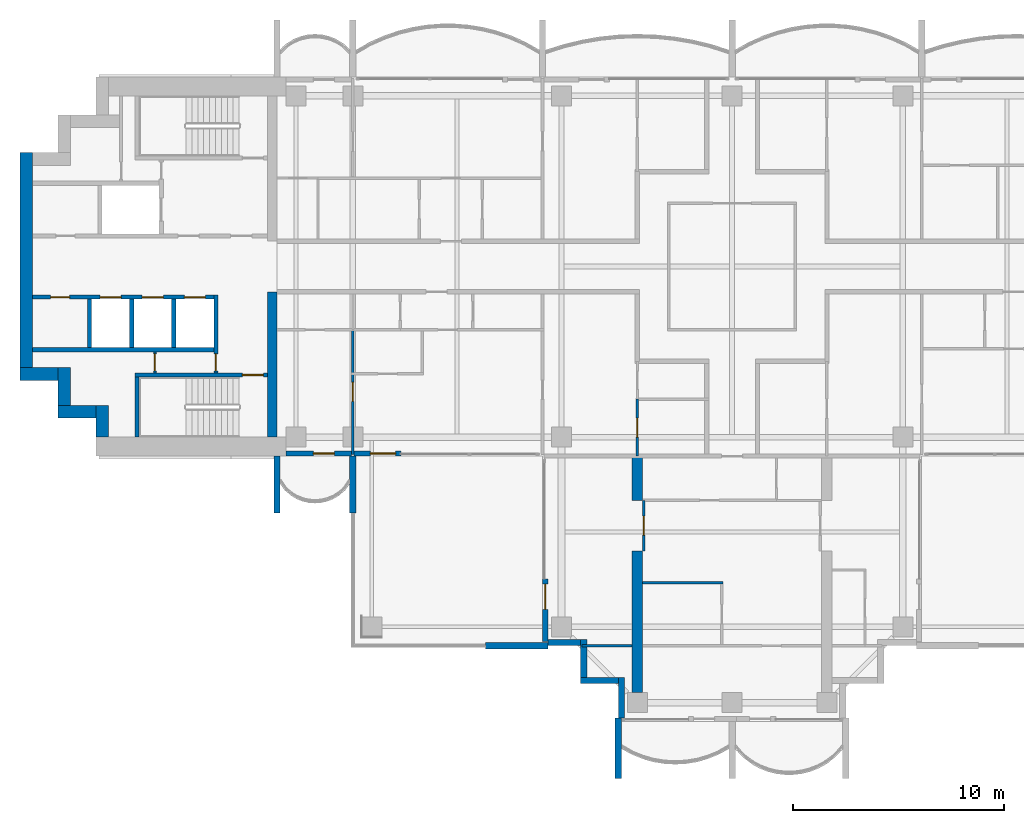
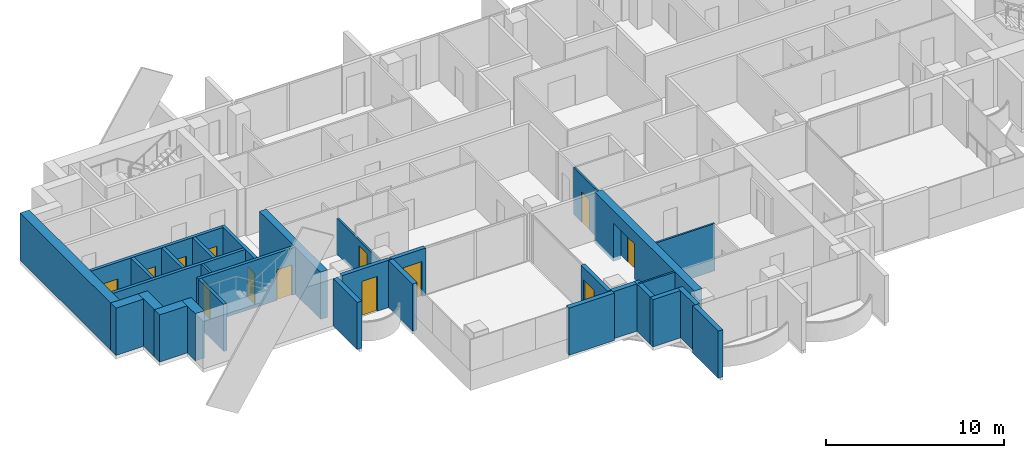
# One storey, part 8 of 17: 32 walls, 13 doors, 13 openings.
"""IFC4 building model written with IfcOpenShell, lengths in metres."""

from ifc_helpers import new_model, si_unit, direction, frame, frame_2d, origin, place, context, subcontext, project, spatial, polyline, rectangle, outline, extrude, material, layer, layer_set, material_profile, profile_set, type_object, element, fill, save


model = new_model("IFC4")

# Units and contexts
model_context = context("Model", 3, precision=1e-05, world=origin(), true_north=direction((0.0, 1.0)))
body_context = subcontext(model_context, "Body", "Model", "MODEL_VIEW")
ifc_project = project(units=[si_unit("LENGTHUNIT", "METRE"), si_unit("AREAUNIT", "SQUARE_METRE"), si_unit("VOLUMEUNIT", "CUBIC_METRE"), si_unit("PLANEANGLEUNIT", "RADIAN"), si_unit("MASSUNIT", "GRAM", prefix="KILO")], contexts=[model_context])

# Site, building, storey
site_placement = place(None, origin())
site = spatial("IfcSite", under=ifc_project, at=site_placement, CompositionType="ELEMENT")
building_placement = place(site_placement, origin())
building = spatial("IfcBuilding", under=site, at=building_placement, Name="Perihelion Cross Residences", CompositionType="ELEMENT")
storey_placement = place(building_placement, frame((0.0, 0.0, 198.10009765625)))
storey = spatial("IfcBuildingStorey", under=building, at=storey_placement, Name="L49", CompositionType="ELEMENT", Elevation=198.10009765625)

# Wall, opening, door
ifc_material_1 = material(Name="Concrete C30/37, bronze-clad", Category="concrete")
ifc_layer_1 = layer(ifc_material_1, 0.25)
ifc_layer_set_1 = layer_set([ifc_layer_1], Name="Bronze-clad pier wall 250")
wall_type_1 = type_object("IfcWallType", Name="Bronze-clad pier wall 250", PredefinedType="SOLIDWALL", material=ifc_layer_set_1)
wall_1_placement = place(storey_placement, frame((-21.175048828125, -8.875, 0.0), z_axis=(0.0, 0.0, 1.0), x_axis=(1.0, 0.0, 0.0)))
wall_1 = element("IfcWall", 1, at=wall_1_placement, inside=storey, type_object=wall_type_1, Name="Wall FW1 L49 west side south bay 1 pier", PredefinedType="SOLIDWALL", context=body_context, shape_type="SweptSolid", body=[
    extrude(rectangle(XDim=3.114990234375, YDim=0.25, at=frame_2d((1.5576171875, 0.0))), origin(), (0.0, 0.0, 1.0), 3.25),
])
opening_1_placement = place(wall_1_placement, frame((1.300048828125, 0.0, 0.0)))
opening_1 = element("IfcOpeningElement", 2, at=opening_1_placement, cuts=wall_1, Name="Opening L49.E07", PredefinedType="OPENING", context=body_context, shape_type="SweptSolid", body=[
    extrude(rectangle(XDim=1.0, YDim=2.39990234375, at=frame_2d((0.5, 1.199951171875))), frame((0.0, 0.135009765625, 0.0), z_axis=(0.0, -1.0, 0.0), x_axis=(1.0, 0.0, 0.0)), (0.0, 0.0, 1.0), 0.27001953125),
])
ifc_material_2 = material(Name="Bronze anodised aluminium, glazed", Category="aluminium")
door_type_1 = type_object("IfcDoorType", Name="Balcony door 1000 x 2400", OperationType="NOTDEFINED", PredefinedType="DOOR", material=ifc_material_2)
door_1_placement = place(opening_1_placement, origin())
door_1 = element("IfcDoor", 3, at=door_1_placement, inside=storey, type_object=door_type_1, Name="Door L49.E07 west side south bay 1", OperationType="SINGLE_SWING_LEFT", OverallHeight=2.39990234375, OverallWidth=1.0, PredefinedType="DOOR", context=body_context, shape_type="SweptSolid", body=[
    extrude(rectangle(XDim=1.0, YDim=2.39990234375, at=frame_2d((0.5, 1.199951171875))), frame((0.0, 0.02490234375, 0.0), z_axis=(0.0, -1.0, 0.0), x_axis=(1.0, 0.0, 0.0)), (0.0, 0.0, 1.0), 0.050048828125),
])
fill(opening_1, door_1)

wall_2_placement = place(storey_placement, frame((-17.93994140625, -8.875, 0.0), z_axis=(0.0, 0.0, 1.0), x_axis=(1.0, 0.0, 0.0)))
wall_2 = element("IfcWall", 4, at=wall_2_placement, inside=storey, type_object=wall_type_1, Name="Wall FW1 L49 west side south bay 2 pier", PredefinedType="SOLIDWALL", context=body_context, shape_type="SweptSolid", body=[
    extrude(rectangle(XDim=2.21484375, YDim=0.25, at=frame_2d((1.107421875, 0.0))), origin(), (0.0, 0.0, 1.0), 3.25),
])
opening_2_placement = place(wall_2_placement, frame((0.764892578125, 0.0, 0.0)))
opening_2 = element("IfcOpeningElement", 5, at=opening_2_placement, cuts=wall_2, Name="Opening L49.E08", PredefinedType="OPENING", context=body_context, shape_type="SweptSolid", body=[
    extrude(rectangle(XDim=1.199951171875, YDim=2.39990234375, at=frame_2d((0.60009765625, 1.199951171875))), frame((0.0, 0.135009765625, 0.0), z_axis=(0.0, -1.0, 0.0), x_axis=(1.0, 0.0, 0.0)), (0.0, 0.0, 1.0), 0.27001953125),
])
ifc_material_3 = material(Name="Bronze anodised aluminium, glazed", Category="aluminium")
door_type_2 = type_object("IfcDoorType", Name="Balcony door 1200 x 2400", OperationType="NOTDEFINED", PredefinedType="DOOR", material=ifc_material_3)
door_2_placement = place(opening_2_placement, origin())
door_2 = element("IfcDoor", 6, at=door_2_placement, inside=storey, type_object=door_type_2, Name="Door L49.E08 west side south bay 2", OperationType="SINGLE_SWING_RIGHT", OverallHeight=2.39990234375, OverallWidth=1.199951171875, PredefinedType="DOOR", context=body_context, shape_type="SweptSolid", body=[
    extrude(rectangle(XDim=1.199951171875, YDim=2.39990234375, at=frame_2d((0.60009765625, 1.199951171875))), frame((0.0, 0.02490234375, 0.0), z_axis=(0.0, -1.0, 0.0), x_axis=(1.0, 0.0, 0.0)), (0.0, 0.0, 1.0), 0.050048828125),
])
fill(opening_2, door_2)

wall_3_placement = place(storey_placement, frame((-8.875, -14.824951171875, 0.0), z_axis=(0.0, 0.0, 1.0), x_axis=(0.0, -1.0, 0.0)))
wall_3 = element("IfcWall", 7, at=wall_3_placement, inside=storey, type_object=wall_type_1, Name="Wall FW1 L49 south side west bay 1 pier", PredefinedType="SOLIDWALL", context=body_context, shape_type="SweptSolid", body=[
    extrude(rectangle(XDim=2.97509765625, YDim=0.25, at=frame_2d((1.487548828125, 0.0))), origin(), (0.0, 0.0, 1.0), 3.25),
])
opening_3_placement = place(wall_3_placement, frame((0.25, 0.0, 0.0)))
opening_3 = element("IfcOpeningElement", 8, at=opening_3_placement, cuts=wall_3, Name="Opening L49.E09", PredefinedType="OPENING", context=body_context, shape_type="SweptSolid", body=[
    extrude(rectangle(XDim=1.199951171875, YDim=2.39990234375, at=frame_2d((0.60009765625, 1.199951171875))), frame((0.0, 0.135009765625, 0.0), z_axis=(0.0, -1.0, 0.0), x_axis=(1.0, 0.0, 0.0)), (0.0, 0.0, 1.0), 0.27001953125),
])
door_3_placement = place(opening_3_placement, origin())
door_3 = element("IfcDoor", 9, at=door_3_placement, inside=storey, type_object=door_type_2, Name="Door L49.E09 south side west bay 1", OperationType="SINGLE_SWING_LEFT", OverallHeight=2.39990234375, OverallWidth=1.199951171875, PredefinedType="DOOR", context=body_context, shape_type="SweptSolid", body=[
    extrude(rectangle(XDim=1.199951171875, YDim=2.39990234375, at=frame_2d((0.60009765625, 1.199951171875))), frame((0.0, 0.02490234375, 0.0), z_axis=(0.0, -1.0, 0.0), x_axis=(1.0, 0.0, 0.0)), (0.0, 0.0, 1.0), 0.050048828125),
])
fill(opening_3, door_3)

# Walls
ifc_material_4 = material(Name="Concrete C30/37, bronze-clad", Category="concrete")
ifc_layer_2 = layer(ifc_material_4, 0.300048828125)
ifc_layer_set_2 = layer_set([ifc_layer_2], Name="Bronze-clad serration wall 300")
wall_type_2 = type_object("IfcWallType", Name="Bronze-clad serration wall 300", PredefinedType="SOLIDWALL", material=ifc_layer_set_2)
wall_4_placement = place(storey_placement, frame((-8.75, -17.85009765625, 0.0), z_axis=(0.0, 0.0, 1.0), x_axis=(1.0, 0.0, 0.0)))
element("IfcWall", 10, at=wall_4_placement, inside=storey, type_object=wall_type_2, Name="Wall SR1 L49 south corner south-west 1", PredefinedType="SOLIDWALL", context=body_context, shape_type="SweptSolid", body=[
    extrude(rectangle(XDim=1.550048828125, YDim=0.300048828125, at=frame_2d((0.77490234375, 0.0))), origin(), (0.0, 0.0, 1.0), 3.25),
])
for number, where, z_axis, x_axis, name in (
    (11, (-7.050048828125, -17.699951171875, 0.0), (0.0, 0.0, 1.0), (0.0, -1.0, 0.0), "Wall SR1 L49 south corner south-west 2"),
    (12, (-7.199951171875, -19.64990234375, 0.0), (0.0, 0.0, 1.0), (1.0, 0.0, 0.0), "Wall SR1 L49 south corner south-west 3"),
):
    element("IfcWall", number, at=place(storey_placement, frame(where, z_axis=z_axis, x_axis=x_axis)), inside=storey, type_object=wall_type_2, Name=name, PredefinedType="SOLIDWALL", context=body_context, shape_type="SweptSolid", body=[
        extrude(rectangle(XDim=1.800048828125, YDim=0.300048828125, at=frame_2d((0.89990234375, 0.0))), origin(), (0.0, 0.0, 1.0), 3.25),
    ])
wall_5_placement = place(storey_placement, frame((-5.25, -19.5, 0.0), z_axis=(0.0, 0.0, 1.0), x_axis=(0.0, -1.0, 0.0)))
element("IfcWall", 13, at=wall_5_placement, inside=storey, type_object=wall_type_2, Name="Wall SR1 L49 south corner south-west 4", PredefinedType="SOLIDWALL", context=body_context, shape_type="SweptSolid", body=[
    extrude(rectangle(XDim=1.919921875, YDim=0.300048828125, at=frame_2d((0.9599609375, 0.0))), origin(), (0.0, 0.0, 1.0), 3.25),
])
ifc_material_5 = material(Name="Concrete C60/75", Category="concrete")
ifc_layer_3 = layer(ifc_material_5, 0.449951171875)
ifc_layer_set_3 = layer_set([ifc_layer_3], Name="Core wall, inner 450")
wall_type_3 = type_object("IfcWallType", Name="Core wall, inner 450", PredefinedType="SHEAR", material=ifc_layer_set_3)
wall_6_placement = place(storey_placement, frame((-21.824951171875, -8.10009765625, 0.0), z_axis=(0.0, 0.0, 1.0), x_axis=(0.0, 1.0, 0.0)))
element("IfcWall", 14, at=wall_6_placement, inside=storey, type_object=wall_type_3, Name="West core core wall, inner", PredefinedType="SHEAR", context=body_context, shape_type="SweptSolid", body=[
    extrude(rectangle(XDim=6.900146484375, YDim=0.449951171875, at=frame_2d((3.4501953125, 0.0))), origin(), (0.0, 0.0, 1.0), 3.25),
])
ifc_material_6 = material(Name="Concrete C60/75", Category="concrete")
ifc_layer_4 = layer(ifc_material_6, 0.60009765625)
ifc_layer_set_4 = layer_set([ifc_layer_4], Name="Core wall, outer 600")
wall_type_4 = type_object("IfcWallType", Name="Core wall, outer 600", PredefinedType="SHEAR", material=ifc_layer_set_4)
wall_7_placement = place(storey_placement, frame((-29.89990234375, -8.10009765625, 0.0), z_axis=(0.0, 0.0, 1.0), x_axis=(0.0, 1.0, 0.0)))
element("IfcWall", 15, at=wall_7_placement, inside=storey, type_object=wall_type_4, Name="West core core wall, outer", PredefinedType="SHEAR", context=body_context, shape_type="SweptSolid", body=[
    extrude(rectangle(XDim=1.5, YDim=0.60009765625, at=frame_2d((0.75, 0.0))), origin(), (0.0, 0.0, 1.0), 3.25),
])
for number, where, z_axis, x_axis, name in (
    (16, (-32.0, -6.89990234375, 0.0), (0.0, 0.0, 1.0), (1.0, 0.0, 0.0), "West core core wall, outer"),
    (17, (-31.699951171875, -6.60009765625, 0.0), (0.0, 0.0, 1.0), (0.0, 1.0, 0.0), "West core core wall, outer"),
    (18, (-33.800048828125, -5.10009765625, 0.0), (0.0, 0.0, 1.0), (1.0, 0.0, 0.0), "West core core wall, outer"),
):
    element("IfcWall", number, at=place(storey_placement, frame(where, z_axis=z_axis, x_axis=x_axis)), inside=storey, type_object=wall_type_4, Name=name, PredefinedType="SHEAR", context=body_context, shape_type="SweptSolid", body=[
        extrude(rectangle(XDim=1.800048828125, YDim=0.60009765625, at=frame_2d((0.89990234375, 0.0))), origin(), (0.0, 0.0, 1.0), 3.25),
    ])
wall_8_placement = place(storey_placement, frame((-33.5, -4.800048828125, 0.0), z_axis=(0.0, 0.0, 1.0), x_axis=(0.0, 1.0, 0.0)))
element("IfcWall", 19, at=wall_8_placement, inside=storey, type_object=wall_type_4, Name="West core core wall, outer", PredefinedType="SHEAR", context=body_context, shape_type="SweptSolid", body=[
    extrude(rectangle(XDim=10.199951171875, YDim=0.60009765625, at=frame_2d((5.10009765625, 0.0))), origin(), (0.0, 0.0, 1.0), 3.25),
])

# Wall, opening, door
ifc_material_7 = material(Name="Plasterboard partition")
ifc_layer_5 = layer(ifc_material_7, 0.1201171875)
ifc_layer_set_5 = layer_set([ifc_layer_5], Name="Infill panel 120")
wall_type_5 = type_object("IfcWallType", Name="Infill panel 120", PredefinedType="PARTITIONING", material=ifc_layer_set_5)
wall_9_placement = place(storey_placement, frame((-4.18994140625, -11.10009765625, 0.0), z_axis=(0.0, 0.0, 1.0), x_axis=(0.0, -1.0, 0.0)))
wall_9 = element("IfcWall", 20, at=wall_9_placement, inside=storey, type_object=wall_type_5, Name="Partition L49 WI02", PredefinedType="PARTITIONING", context=body_context, shape_type="SweptSolid", body=[
    extrude(rectangle(XDim=2.39990234375, YDim=0.1201171875, at=frame_2d((1.199951171875, 0.0))), origin(), (0.0, 0.0, 1.0), 2.39990234375),
])
opening_4_placement = place(wall_9_placement, frame((0.75, 0.0, 0.0)))
opening_4 = element("IfcOpeningElement", 21, at=opening_4_placement, cuts=wall_9, Name="Opening L49.A43", PredefinedType="OPENING", context=body_context, shape_type="SweptSolid", body=[
    extrude(rectangle(XDim=0.89990234375, YDim=2.10009765625, at=frame_2d((0.449951171875, 1.050048828125))), frame((0.0, 0.070068359375, 0.0), z_axis=(0.0, -1.0, 0.0), x_axis=(1.0, 0.0, 0.0)), (0.0, 0.0, 1.0), 0.14013671875),
])
ifc_material_8 = material(Name="Timber door leaf", Category="wood")
door_type_3 = type_object("IfcDoorType", Name="Interior room door 900 x 2100", OperationType="SINGLE_SWING_LEFT", PredefinedType="DOOR", material=ifc_material_8)
door_4_placement = place(opening_4_placement, origin())
door_4 = element("IfcDoor", 22, at=door_4_placement, inside=storey, type_object=door_type_3, Name="Door L49.A43", OperationType="SINGLE_SWING_LEFT", OverallHeight=2.10009765625, OverallWidth=0.89990234375, PredefinedType="DOOR", context=body_context, shape_type="SweptSolid", body=[
    extrude(rectangle(XDim=0.89990234375, YDim=2.10009765625, at=frame_2d((0.449951171875, 1.050048828125))), frame((0.0, 0.02490234375, 0.0), z_axis=(0.0, -1.0, 0.0), x_axis=(1.0, 0.0, 0.0)), (0.0, 0.0, 1.0), 0.050048828125),
])
fill(opening_4, door_4)

ifc_material_9 = material(Name="Concrete C50/60", Category="concrete")
ifc_layer_6 = layer(ifc_material_9, 0.199951171875)
ifc_layer_set_6 = layer_set([ifc_layer_6], Name="Lobby wall 200")
wall_type_6 = type_object("IfcWallType", Name="Lobby wall 200", PredefinedType="SOLIDWALL", material=ifc_layer_set_6)
wall_10_placement = place(storey_placement, frame((-24.5, -5.050048828125, 0.0), z_axis=(0.0, 0.0, 1.0), x_axis=(0.0, 1.0, 0.0)))
wall_10 = element("IfcWall", 23, at=wall_10_placement, inside=storey, type_object=wall_type_6, Name="West core lobby wall", PredefinedType="SOLIDWALL", context=body_context, shape_type="SweptSolid", body=[
    extrude(rectangle(XDim=3.699951171875, YDim=0.199951171875, at=frame_2d((1.85009765625, 0.0))), origin(), (0.0, 0.0, 1.0), 3.25),
])
opening_5_placement = place(wall_10_placement, frame((0.10009765625, 0.0, 0.0)))
opening_5 = element("IfcOpeningElement", 24, at=opening_5_placement, cuts=wall_10, Name="Opening L49.C22", PredefinedType="OPENING", context=body_context, shape_type="SweptSolid", body=[
    extrude(rectangle(XDim=0.800048828125, YDim=2.10009765625, at=frame_2d((0.39990234375, 1.050048828125))), frame((0.0, 0.10986328125, 0.0), z_axis=(0.0, -1.0, 0.0), x_axis=(1.0, 0.0, 0.0)), (0.0, 0.0, 1.0), 0.219970703125),
])
ifc_material_10 = material(Name="Steel, powder coated", Category="steel")
door_type_4 = type_object("IfcDoorType", Name="Riser door 800", OperationType="SINGLE_SWING_LEFT", PredefinedType="DOOR", material=ifc_material_10)
door_5_placement = place(opening_5_placement, origin())
door_5 = element("IfcDoor", 25, at=door_5_placement, inside=storey, type_object=door_type_4, Name="West core riser door", OperationType="SINGLE_SWING_LEFT", OverallHeight=2.10009765625, OverallWidth=0.800048828125, PredefinedType="DOOR", context=body_context, shape_type="SweptSolid", body=[
    extrude(rectangle(XDim=0.800048828125, YDim=2.10009765625, at=frame_2d((0.39990234375, 1.050048828125))), frame((0.0, 0.02490234375, 0.0), z_axis=(0.0, -1.0, 0.0), x_axis=(1.0, 0.0, 0.0)), (0.0, 0.0, 1.0), 0.050048828125),
])
fill(opening_5, door_5)

ifc_material_11 = material(Name="Plasterboard partition")
ifc_layer_7 = layer(ifc_material_11, 0.1201171875)
ifc_layer_set_7 = layer_set([ifc_layer_7], Name="Partition wall 120")
wall_type_7 = type_object("IfcWallType", Name="Partition wall 120", PredefinedType="PARTITIONING", material=ifc_layer_set_7)
wall_11_placement = place(storey_placement, frame((-18.0, -8.919921875, 0.0), z_axis=(0.0, 0.0, 1.0), x_axis=(0.0, 1.0, 0.0)))
wall_11 = element("IfcWall", 26, at=wall_11_placement, inside=storey, type_object=wall_type_7, Name="Partition L49 W055", PredefinedType="PARTITIONING", context=body_context, shape_type="SweptSolid", body=[
    extrude(rectangle(XDim=5.919921875, YDim=0.1201171875, at=frame_2d((2.9599609375, 0.0))), origin(), (0.0, 0.0, 1.0), 2.47998046875),
])
opening_6_placement = place(wall_11_placement, frame((2.52001953125, 0.0, 0.0)))
opening_6 = element("IfcOpeningElement", 27, at=opening_6_placement, cuts=wall_11, Name="Opening L49.A23", PredefinedType="OPENING", context=body_context, shape_type="SweptSolid", body=[
    extrude(rectangle(XDim=0.89990234375, YDim=2.10009765625, at=frame_2d((0.449951171875, 1.050048828125))), frame((0.0, 0.070068359375, 0.0), z_axis=(0.0, -1.0, 0.0), x_axis=(1.0, 0.0, 0.0)), (0.0, 0.0, 1.0), 0.14013671875),
])
door_6_placement = place(opening_6_placement, origin())
door_6 = element("IfcDoor", 28, at=door_6_placement, inside=storey, type_object=door_type_3, Name="Door L49.A23", OperationType="SINGLE_SWING_RIGHT", OverallHeight=2.10009765625, OverallWidth=0.89990234375, PredefinedType="DOOR", context=body_context, shape_type="SweptSolid", body=[
    extrude(rectangle(XDim=0.89990234375, YDim=2.10009765625, at=frame_2d((0.449951171875, 1.050048828125))), frame((0.0, 0.02490234375, 0.0), z_axis=(0.0, -1.0, 0.0), x_axis=(1.0, 0.0, 0.0)), (0.0, 0.0, 1.0), 0.050048828125),
])
fill(opening_6, door_6)

wall_12_placement = place(storey_placement, frame((-4.5, -6.300048828125, 0.0), z_axis=(0.0, 0.0, 1.0), x_axis=(0.0, -1.0, 0.0)))
wall_12 = element("IfcWall", 29, at=wall_12_placement, inside=storey, type_object=wall_type_7, Name="Partition L49 W057", PredefinedType="PARTITIONING", context=body_context, shape_type="SweptSolid", body=[
    extrude(rectangle(XDim=2.699951171875, YDim=0.1201171875, at=frame_2d((1.35009765625, 0.0))), origin(), (0.0, 0.0, 1.0), 3.25),
])
opening_7_placement = place(wall_12_placement, frame((0.89990234375, 0.0, 0.0)))
opening_7 = element("IfcOpeningElement", 30, at=opening_7_placement, cuts=wall_12, Name="Opening L49.A28", PredefinedType="OPENING", context=body_context, shape_type="SweptSolid", body=[
    extrude(rectangle(XDim=0.89990234375, YDim=2.10009765625, at=frame_2d((0.449951171875, 1.050048828125))), frame((0.0, 0.070068359375, 0.0), z_axis=(0.0, -1.0, 0.0), x_axis=(1.0, 0.0, 0.0)), (0.0, 0.0, 1.0), 0.14013671875),
])
door_7_placement = place(opening_7_placement, origin())
door_7 = element("IfcDoor", 31, at=door_7_placement, inside=storey, type_object=door_type_3, Name="Door L49.A28", OperationType="SINGLE_SWING_LEFT", OverallHeight=2.10009765625, OverallWidth=0.89990234375, PredefinedType="DOOR", context=body_context, shape_type="SweptSolid", body=[
    extrude(rectangle(XDim=0.89990234375, YDim=2.10009765625, at=frame_2d((0.449951171875, 1.050048828125))), frame((0.0, 0.02490234375, 0.0), z_axis=(0.0, -1.0, 0.0), x_axis=(1.0, 0.0, 0.0)), (0.0, 0.0, 1.0), 0.050048828125),
])
fill(opening_7, door_7)

# Walls
wall_13_placement = place(storey_placement, frame((-0.43994140625, -15.0, 0.0), z_axis=(0.0, 0.0, 1.0), x_axis=(-1.0, 0.0, 0.0)))
element("IfcWall", 32, at=wall_13_placement, inside=storey, type_object=wall_type_7, Name="Partition L49 W063", PredefinedType="PARTITIONING", context=body_context, shape_type="SweptSolid", body=[
    extrude(rectangle(XDim=3.81005859375, YDim=0.1201171875, at=frame_2d((1.905029296875, 0.0))), origin(), (0.0, 0.0, 1.0), 3.25),
])
wall_14_placement = place(storey_placement, frame((-4.75, -18.0, 0.0), z_axis=(0.0, 0.0, 1.0), x_axis=(-1.0, 0.0, 0.0)))
element("IfcWall", 33, at=wall_14_placement, inside=storey, type_object=wall_type_7, Name="Partition L49 W069", PredefinedType="PARTITIONING", context=body_context, shape_type="SweptSolid", body=[
    extrude(rectangle(XDim=2.3701171875, YDim=0.1201171875, at=frame_2d((1.18505859375, 0.0))), origin(), (0.0, 0.0, 1.0), 3.25),
])
ifc_material_12 = material(Name="Precast concrete C50/60", Category="concrete")
ifc_layer_8 = layer(ifc_material_12, 0.300048828125)
ifc_layer_set_8 = layer_set([ifc_layer_8], Name="Precast concrete C50/60 blade wall 300")
wall_type_8 = type_object("IfcWallType", Name="Precast concrete C50/60 blade wall 300", PredefinedType="SOLIDWALL", material=ifc_layer_set_8)
for number, where, z_axis, x_axis, name in (
    (34, (-21.60009765625, -9.0, 0.0), (0.0, 0.0, 1.0), (0.0, -1.0, 0.0), "Wall BL1 L49 no. 3"),
    (35, (-18.0, -9.0, 0.0), (0.0, 0.0, 1.0), (0.0, -1.0, 0.0), "Wall BL1 L49 no. 1"),
):
    element("IfcWall", number, at=place(storey_placement, frame(where, z_axis=z_axis, x_axis=x_axis)), inside=storey, type_object=wall_type_8, Name=name, PredefinedType="SOLIDWALL", context=body_context, shape_type="SweptSolid", body=[
        extrude(rectangle(XDim=2.699951171875, YDim=0.300048828125, at=frame_2d((1.35009765625, 0.0))), origin(), (0.0, 0.0, 1.0), 3.25),
    ])
wall_15_placement = place(storey_placement, frame((-8.75, -18.0, 0.0), z_axis=(0.0, 0.0, 1.0), x_axis=(-1.0, 0.0, 0.0)))
element("IfcWall", 36, at=wall_15_placement, inside=storey, type_object=wall_type_8, Name="Wall BL1 L49 no. 6", PredefinedType="SOLIDWALL", context=body_context, shape_type="SweptSolid", body=[
    extrude(rectangle(XDim=2.949951171875, YDim=0.300048828125, at=frame_2d((1.47509765625, 0.0))), origin(), (0.0, 0.0, 1.0), 3.25),
])
wall_16_placement = place(storey_placement, frame((-5.39990234375, -21.419921875, 0.0), z_axis=(0.0, 0.0, 1.0), x_axis=(0.0, -1.0, 0.0)))
element("IfcWall", 37, at=wall_16_placement, inside=storey, type_object=wall_type_8, Name="Wall BL1 L49 no. 5", PredefinedType="SOLIDWALL", context=body_context, shape_type="SweptSolid", body=[
    extrude(rectangle(XDim=2.880126953125, YDim=0.300048828125, at=frame_2d((1.43994140625, 0.0))), origin(), (0.0, 0.0, 1.0), 3.25),
])

# Wall, opening, door
ifc_material_13 = material(Name="Fire-rated board on steel stud", Category="steel")
ifc_layer_9 = layer(ifc_material_13, 0.14990234375)
ifc_layer_set_9 = layer_set([ifc_layer_9], Name="Riser wall 150")
wall_type_9 = type_object("IfcWallType", Name="Riser wall 150", PredefinedType="PARTITIONING", material=ifc_layer_set_9)
wall_17_placement = place(storey_placement, frame((-27.39990234375, -5.050048828125, 0.0), z_axis=(0.0, 0.0, 1.0), x_axis=(0.0, 1.0, 0.0)))
wall_17 = element("IfcWall", 38, at=wall_17_placement, inside=storey, type_object=wall_type_9, Name="West core riser wall", PredefinedType="PARTITIONING", context=body_context, shape_type="SweptSolid", body=[
    extrude(rectangle(XDim=1.0, YDim=0.14990234375, at=frame_2d((0.5, 0.0))), origin(), (0.0, 0.0, 1.0), 3.25),
])
opening_8_placement = place(wall_17_placement, frame((0.10009765625, 0.0, 0.0)))
opening_8 = element("IfcOpeningElement", 39, at=opening_8_placement, cuts=wall_17, Name="Opening L49.C25", PredefinedType="OPENING", context=body_context, shape_type="SweptSolid", body=[
    extrude(rectangle(XDim=0.800048828125, YDim=2.10009765625, at=frame_2d((0.39990234375, 1.050048828125))), frame((0.0, 0.0849609375, 0.0), z_axis=(0.0, -1.0, 0.0), x_axis=(1.0, 0.0, 0.0)), (0.0, 0.0, 1.0), 0.169921875),
])
door_8_placement = place(opening_8_placement, origin())
door_8 = element("IfcDoor", 40, at=door_8_placement, inside=storey, type_object=door_type_4, Name="West core riser door", OperationType="SINGLE_SWING_LEFT", OverallHeight=2.10009765625, OverallWidth=0.800048828125, PredefinedType="DOOR", context=body_context, shape_type="SweptSolid", body=[
    extrude(rectangle(XDim=0.800048828125, YDim=2.10009765625, at=frame_2d((0.39990234375, 1.050048828125))), frame((0.0, 0.02490234375, 0.0), z_axis=(0.0, -1.0, 0.0), x_axis=(1.0, 0.0, 0.0)), (0.0, 0.0, 1.0), 0.050048828125),
])
fill(opening_8, door_8)

# Wall, openings, doors
ifc_material_14 = material(Name="Concrete C50/60", Category="concrete")
ifc_layer_10 = layer(ifc_material_14, 0.199951171875)
ifc_layer_set_10 = layer_set([ifc_layer_10], Name="Shaft wall 200")
wall_type_10 = type_object("IfcWallType", Name="Shaft wall 200", PredefinedType="SOLIDWALL", material=ifc_layer_set_10)
wall_18_placement = place(storey_placement, frame((-33.199951171875, -1.449951171875, 0.0), z_axis=(0.0, 0.0, 1.0), x_axis=(1.0, 0.0, 0.0)))
wall_18 = element("IfcWall", 41, at=wall_18_placement, inside=storey, type_object=wall_type_10, Name="West core shaft wall", PredefinedType="SOLIDWALL", context=body_context, shape_type="SweptSolid", body=[
    extrude(rectangle(XDim=8.599853515625, YDim=0.199951171875, at=frame_2d((4.2998046875, 0.0))), origin(), (0.0, 0.0, 1.0), 3.25),
])
opening_9_placement = place(wall_18_placement, frame((7.199951171875, 0.0, 0.0)))
opening_9 = element("IfcOpeningElement", 42, at=opening_9_placement, cuts=wall_18, Name="Opening L49.C15", PredefinedType="OPENING", context=body_context, shape_type="SweptSolid", body=[
    extrude(rectangle(XDim=1.0, YDim=2.10009765625, at=frame_2d((0.5, 1.050048828125))), frame((0.0, 0.10986328125, 0.0), z_axis=(0.0, -1.0, 0.0), x_axis=(1.0, 0.0, 0.0)), (0.0, 0.0, 1.0), 0.219970703125),
])
opening_10_placement = place(wall_18_placement, frame((5.199951171875, 0.0, 0.0)))
opening_10 = element("IfcOpeningElement", 43, at=opening_10_placement, cuts=wall_18, Name="Opening L49.C17", PredefinedType="OPENING", context=body_context, shape_type="SweptSolid", body=[
    extrude(rectangle(XDim=1.0, YDim=2.10009765625, at=frame_2d((0.5, 1.050048828125))), frame((0.0, 0.10986328125, 0.0), z_axis=(0.0, -1.0, 0.0), x_axis=(1.0, 0.0, 0.0)), (0.0, 0.0, 1.0), 0.219970703125),
])
opening_11_placement = place(wall_18_placement, frame((3.199951171875, 0.0, 0.0)))
opening_11 = element("IfcOpeningElement", 44, at=opening_11_placement, cuts=wall_18, Name="Opening L49.C18", PredefinedType="OPENING", context=body_context, shape_type="SweptSolid", body=[
    extrude(rectangle(XDim=1.0, YDim=2.10009765625, at=frame_2d((0.5, 1.050048828125))), frame((0.0, 0.10986328125, 0.0), z_axis=(0.0, -1.0, 0.0), x_axis=(1.0, 0.0, 0.0)), (0.0, 0.0, 1.0), 0.219970703125),
])
opening_12_placement = place(wall_18_placement, frame((0.85009765625, 0.0, 0.0)))
opening_12 = element("IfcOpeningElement", 45, at=opening_12_placement, cuts=wall_18, Name="Opening L49.C28", PredefinedType="OPENING", context=body_context, shape_type="SweptSolid", body=[
    extrude(rectangle(XDim=0.89990234375, YDim=2.10009765625, at=frame_2d((0.449951171875, 1.050048828125))), frame((0.0, 0.10986328125, 0.0), z_axis=(0.0, -1.0, 0.0), x_axis=(1.0, 0.0, 0.0)), (0.0, 0.0, 1.0), 0.219970703125),
])
ifc_material_15 = material(Name="Stainless steel", Category="steel")
door_type_5 = type_object("IfcDoorType", Name="Landing door 1000", OperationType="DOUBLE_DOOR_SLIDING", PredefinedType="DOOR", material=ifc_material_15)
door_9_placement = place(opening_9_placement, origin())
door_9 = element("IfcDoor", 46, at=door_9_placement, inside=storey, type_object=door_type_5, Name="Landing door, West core high-rise lift 1", OperationType="DOUBLE_DOOR_SLIDING", OverallHeight=2.10009765625, OverallWidth=1.0, PredefinedType="DOOR", context=body_context, shape_type="SweptSolid", body=[
    extrude(rectangle(XDim=1.0, YDim=2.10009765625, at=frame_2d((0.5, 1.050048828125))), frame((0.0, 0.02490234375, 0.0), z_axis=(0.0, -1.0, 0.0), x_axis=(1.0, 0.0, 0.0)), (0.0, 0.0, 1.0), 0.050048828125),
])
fill(opening_9, door_9)
door_10_placement = place(opening_10_placement, origin())
door_10 = element("IfcDoor", 47, at=door_10_placement, inside=storey, type_object=door_type_5, Name="Landing door, West core high-rise lift 2", OperationType="DOUBLE_DOOR_SLIDING", OverallHeight=2.10009765625, OverallWidth=1.0, PredefinedType="DOOR", context=body_context, shape_type="SweptSolid", body=[
    extrude(rectangle(XDim=1.0, YDim=2.10009765625, at=frame_2d((0.5, 1.050048828125))), frame((0.0, 0.02490234375, 0.0), z_axis=(0.0, -1.0, 0.0), x_axis=(1.0, 0.0, 0.0)), (0.0, 0.0, 1.0), 0.050048828125),
])
fill(opening_10, door_10)
door_11_placement = place(opening_11_placement, origin())
door_11 = element("IfcDoor", 48, at=door_11_placement, inside=storey, type_object=door_type_5, Name="Landing door, West core high-rise lift 3", OperationType="DOUBLE_DOOR_SLIDING", OverallHeight=2.10009765625, OverallWidth=1.0, PredefinedType="DOOR", context=body_context, shape_type="SweptSolid", body=[
    extrude(rectangle(XDim=1.0, YDim=2.10009765625, at=frame_2d((0.5, 1.050048828125))), frame((0.0, 0.02490234375, 0.0), z_axis=(0.0, -1.0, 0.0), x_axis=(1.0, 0.0, 0.0)), (0.0, 0.0, 1.0), 0.050048828125),
])
fill(opening_11, door_11)
ifc_material_16 = material(Name="Steel, powder coated", Category="steel")
door_type_6 = type_object("IfcDoorType", Name="Service room door 900", OperationType="SINGLE_SWING_LEFT", PredefinedType="DOOR", material=ifc_material_16)
door_12_placement = place(opening_12_placement, origin())
door_12 = element("IfcDoor", 49, at=door_12_placement, inside=storey, type_object=door_type_6, Name="West core service room door", OperationType="SINGLE_SWING_LEFT", OverallHeight=2.10009765625, OverallWidth=0.89990234375, PredefinedType="DOOR", context=body_context, shape_type="SweptSolid", body=[
    extrude(rectangle(XDim=0.89990234375, YDim=2.10009765625, at=frame_2d((0.449951171875, 1.050048828125))), frame((0.0, 0.02490234375, 0.0), z_axis=(0.0, -1.0, 0.0), x_axis=(1.0, 0.0, 0.0)), (0.0, 0.0, 1.0), 0.050048828125),
])
fill(opening_12, door_12)

# Walls
wall_19_placement = place(storey_placement, frame((-33.199951171875, -3.949951171875, 0.0), z_axis=(0.0, 0.0, 1.0), x_axis=(1.0, 0.0, 0.0)))
element("IfcWall", 50, at=wall_19_placement, inside=storey, type_object=wall_type_10, Name="West core shaft wall", PredefinedType="SOLIDWALL", context=body_context, shape_type="SweptSolid", body=[
    extrude(rectangle(XDim=8.599853515625, YDim=0.199951171875, at=frame_2d((4.2998046875, 0.0))), origin(), (0.0, 0.0, 1.0), 3.25),
])
for number, where, z_axis, x_axis, name in (
    (51, (-26.5, -3.85009765625, 0.0), (0.0, 0.0, 1.0), (0.0, 1.0, 0.0), "West core shaft wall"),
    (52, (-28.5, -3.85009765625, 0.0), (0.0, 0.0, 1.0), (0.0, 1.0, 0.0), "West core shaft wall"),
    (53, (-30.5, -3.85009765625, 0.0), (0.0, 0.0, 1.0), (0.0, 1.0, 0.0), "West core shaft wall"),
):
    element("IfcWall", number, at=place(storey_placement, frame(where, z_axis=z_axis, x_axis=x_axis)), inside=storey, type_object=wall_type_10, Name=name, PredefinedType="SOLIDWALL", context=body_context, shape_type="SweptSolid", body=[
        extrude(rectangle(XDim=2.300048828125, YDim=0.199951171875, at=frame_2d((1.14990234375, 0.0))), origin(), (0.0, 0.0, 1.0), 3.25),
    ])

# Wall, opening, door
ifc_material_17 = material(Name="Concrete C50/60", Category="concrete")
ifc_layer_11 = layer(ifc_material_17, 0.199951171875)
ifc_layer_set_11 = layer_set([ifc_layer_11], Name="Stair wall 200")
wall_type_11 = type_object("IfcWallType", Name="Stair wall 200", PredefinedType="SOLIDWALL", material=ifc_layer_set_11)
wall_20_placement = place(storey_placement, frame((-28.35009765625, -5.14990234375, 0.0), z_axis=(0.0, 0.0, 1.0), x_axis=(1.0, 0.0, 0.0)))
wall_20 = element("IfcWall", 54, at=wall_20_placement, inside=storey, type_object=wall_type_11, Name="West core stair wall", PredefinedType="SOLIDWALL", context=body_context, shape_type="SweptSolid", body=[
    extrude(rectangle(XDim=6.300048828125, YDim=0.199951171875, at=frame_2d((3.14990234375, 0.0))), origin(), (0.0, 0.0, 1.0), 3.25),
])
opening_13_placement = place(wall_20_placement, frame((5.10009765625, 0.0, 0.0)))
opening_13 = element("IfcOpeningElement", 55, at=opening_13_placement, cuts=wall_20, Name="Opening L49.C19", PredefinedType="OPENING", context=body_context, shape_type="SweptSolid", body=[
    extrude(rectangle(XDim=1.0, YDim=2.10009765625, at=frame_2d((0.5, 1.050048828125))), frame((0.0, 0.10986328125, 0.0), z_axis=(0.0, -1.0, 0.0), x_axis=(1.0, 0.0, 0.0)), (0.0, 0.0, 1.0), 0.219970703125),
])
ifc_material_18 = material(Name="Steel, powder coated", Category="steel")
door_type_7 = type_object("IfcDoorType", Name="Stair door 1000", OperationType="SINGLE_SWING_LEFT", PredefinedType="DOOR", material=ifc_material_18)
door_13_placement = place(opening_13_placement, origin())
door_13 = element("IfcDoor", 56, at=door_13_placement, inside=storey, type_object=door_type_7, Name="West core stair door", OperationType="SINGLE_SWING_LEFT", OverallHeight=2.10009765625, OverallWidth=1.0, PredefinedType="DOOR", context=body_context, shape_type="SweptSolid", body=[
    extrude(rectangle(XDim=1.0, YDim=2.10009765625, at=frame_2d((0.5, 1.050048828125))), frame((0.0, 0.02490234375, 0.0), z_axis=(0.0, -1.0, 0.0), x_axis=(1.0, 0.0, 0.0)), (0.0, 0.0, 1.0), 0.050048828125),
])
fill(opening_13, door_13)

# Walls
wall_21_placement = place(storey_placement, frame((-28.25, -8.10009765625, 0.0), z_axis=(0.0, 0.0, 1.0), x_axis=(0.0, 1.0, 0.0)))
element("IfcWall", 57, at=wall_21_placement, inside=storey, type_object=wall_type_11, Name="West core stair wall", PredefinedType="SOLIDWALL", context=body_context, shape_type="SweptSolid", body=[
    extrude(rectangle(XDim=2.85009765625, YDim=0.199951171875, at=frame_2d((1.425048828125, 0.0))), origin(), (0.0, 0.0, 1.0), 3.25),
])
ifc_material_19 = material(Name="Concrete C60/75", Category="concrete")
ifc_material_profile = material_profile(ifc_material_19, outline(polyline([(0.0, 0.0), (6.72509765625, 0.0), (6.72509765625, 2.64990234375), (9.125, 2.64990234375), (9.125, 0.0), (11.22509765625, 0.0), (11.22509765625, 3.5), (0.0, 3.5), (0.0, 0.0)])), Name="Tip spine wall")
ifc_profile_set = profile_set([ifc_material_profile], Name="Concrete C60/75")
wall_type_12 = type_object("IfcWallType", Name="Tip spine wall 500 with 1 door openings 11225 long 3500 high concrete C60/75", PredefinedType="SHEAR", material=ifc_profile_set)
wall_22_placement = place(storey_placement, frame((-4.75, -20.22509765625, -0.25), z_axis=(1.0, 0.0, 0.0), x_axis=(0.0, 1.0, 0.0)))
element("IfcWall", 58, at=wall_22_placement, inside=storey, type_object=wall_type_12, Name="Shear wall SW41 L49 south west", PredefinedType="SHEAR", context=body_context, shape_type="SweptSolid", body=[
    extrude(outline(polyline([(0.0, 0.0), (6.72509765625, 0.0), (6.72509765625, 2.64990234375), (9.125, 2.64990234375), (9.125, 0.0), (11.22509765625, 0.0), (11.22509765625, 3.5), (0.0, 3.5), (0.0, 0.0)])), origin(), (0.0, 0.0, 1.0), 0.5),
])

save(model, "model.ifc")
